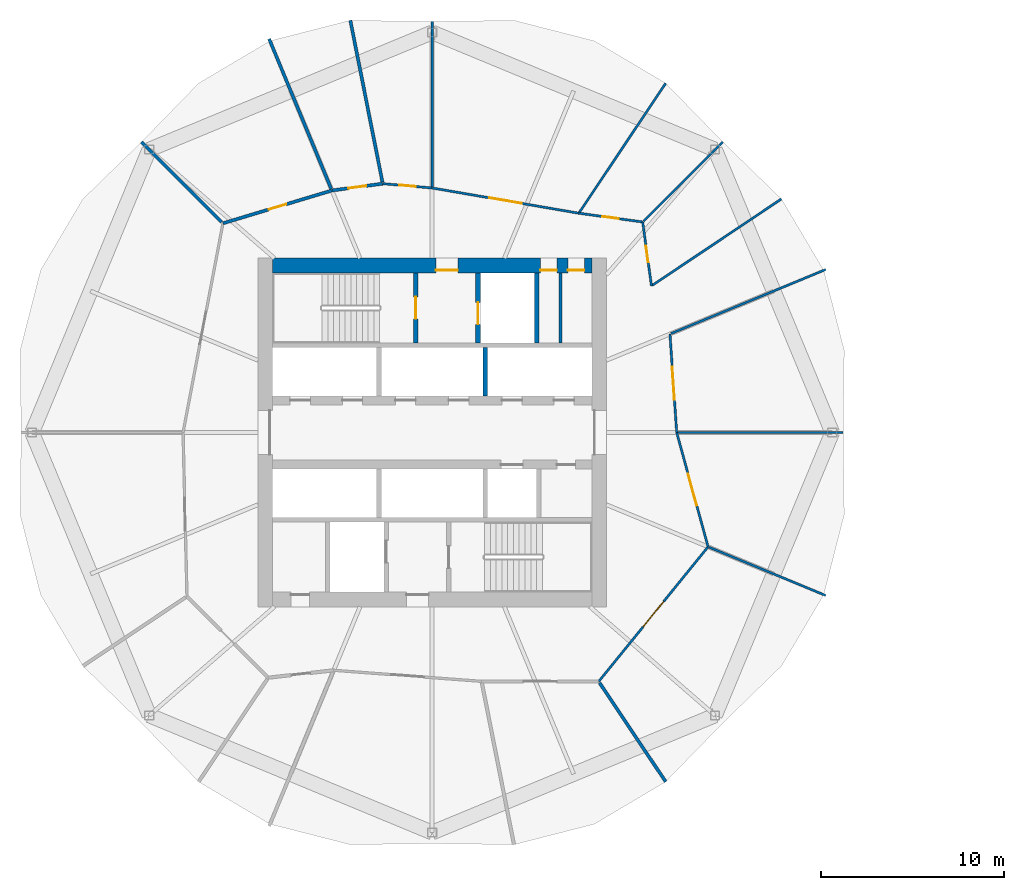
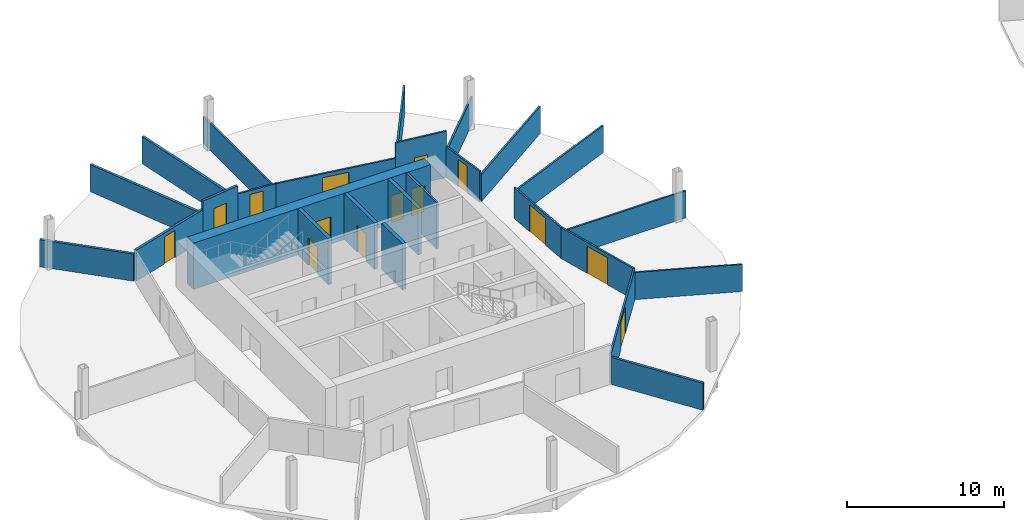
# One storey, part 5 of 9: 26 walls, 14 doors, 14 openings.
"""IFC4 building model written with IfcOpenShell, lengths in metres."""

from ifc_helpers import new_model, si_unit, direction, frame, frame_2d, origin, place, context, subcontext, project, spatial, rectangle, extrude, material, layer, layer_set, type_object, element, fill, save


model = new_model("IFC4")

# Units and contexts
model_context = context("Model", 3, precision=1e-05, world=origin(), true_north=direction((0.0, 1.0)))
body_context = subcontext(model_context, "Body", "Model", "MODEL_VIEW")
ifc_project = project(units=[si_unit("LENGTHUNIT", "METRE"), si_unit("AREAUNIT", "SQUARE_METRE"), si_unit("VOLUMEUNIT", "CUBIC_METRE"), si_unit("PLANEANGLEUNIT", "RADIAN"), si_unit("MASSUNIT", "GRAM", prefix="KILO")], contexts=[model_context])

# Site, building, storey
site_placement = place(None, origin())
site = spatial("IfcSite", under=ifc_project, at=site_placement, CompositionType="ELEMENT")
building_placement = place(site_placement, origin())
building = spatial("IfcBuilding", under=site, at=building_placement, Name="Ogive Gate Towers", CompositionType="ELEMENT")
storey_placement = place(building_placement, frame((0.0, 0.0, 40.199951171875)))
storey = spatial("IfcBuildingStorey", under=building, at=storey_placement, Name="L08", CompositionType="ELEMENT", Elevation=40.199951171875)

# Walls
ifc_material_1 = material(Name="Gypsum board acoustic partition")
ifc_layer_1 = layer(ifc_material_1, 0.175048828125)
ifc_layer_set_1 = layer_set([ifc_layer_1], Name="Acoustic partition 175")
wall_type_1 = type_object("IfcWallType", Name="Acoustic partition 175", PredefinedType="PARTITIONING", material=ifc_layer_set_1)
wall_1_placement = place(storey_placement, frame((-40.461669921875, 22.470947265625, 0.0), z_axis=(0.0, 0.0, 1.0), x_axis=(0.194737431918, -0.980855408615, 0.0)))
element("IfcWall", 1, at=wall_1_placement, inside=storey, type_object=wall_type_1, Name="Partition T1-L08-007", PredefinedType="PARTITIONING", context=body_context, shape_type="SweptSolid", body=[
    extrude(rectangle(XDim=8.991455078125, YDim=0.175048828125, at=frame_2d((4.49560546875, 0.0))), origin(), (0.0, 0.0, 1.0), 2.10009765625),
])
wall_2_placement = place(storey_placement, frame((-44.885986328125, 21.452880859375, 0.0), z_axis=(0.0, 0.0, 1.0), x_axis=(0.382685511133, -0.923878671455, 0.0)))
element("IfcWall", 2, at=wall_2_placement, inside=storey, type_object=wall_type_1, Name="Partition T1-L08-008", PredefinedType="PARTITIONING", context=body_context, shape_type="SweptSolid", body=[
    extrude(rectangle(XDim=8.851806640625, YDim=0.175048828125, at=frame_2d((4.42578125, 0.0))), origin(), (0.0, 0.0, 1.0), 2.10009765625),
])
wall_3_placement = place(storey_placement, frame((-51.845703125, 15.845703125, 0.0), z_axis=(0.0, 0.0, 1.0), x_axis=(0.707106781187, -0.707106781187, 0.0)))
element("IfcWall", 3, at=wall_3_placement, inside=storey, type_object=wall_type_1, Name="Partition T1-L08-009", PredefinedType="PARTITIONING", context=body_context, shape_type="SweptSolid", body=[
    extrude(rectangle(XDim=6.191650390625, YDim=0.175048828125, at=frame_2d((3.095703125, 0.0))), origin(), (0.0, 0.0, 1.0), 2.10009765625),
])
wall_4_placement = place(storey_placement, frame((-23.265625, -19.044189453125, 0.0), z_axis=(0.0, 0.0, 1.0), x_axis=(-0.55586264377, 0.831274155295, 0.0)))
element("IfcWall", 4, at=wall_4_placement, inside=storey, type_object=wall_type_1, Name="Partition T1-L08-015", PredefinedType="PARTITIONING", context=body_context, shape_type="SweptSolid", body=[
    extrude(rectangle(XDim=6.491455078125, YDim=0.175048828125, at=frame_2d((3.24560546875, 0.0))), origin(), (0.0, 0.0, 1.0), 2.10009765625),
])

# Wall, opening, door
wall_5_placement = place(storey_placement, frame((-38.693603515625, 13.56591796875, 0.0), z_axis=(0.0, 0.0, 1.0), x_axis=(-0.991120058081, -0.132970035981, 0.0)))
wall_5 = element("IfcWall", 5, at=wall_5_placement, inside=storey, type_object=wall_type_1, Name="Partition T1-L08-021", PredefinedType="PARTITIONING", context=body_context, shape_type="SweptSolid", body=[
    extrude(rectangle(XDim=2.79638671875, YDim=0.175048828125, at=frame_2d((1.398193359375, 0.0))), origin(), (0.0, 0.0, 1.0), 3.050048828125),
])
opening_1_placement = place(wall_5_placement, frame((0.89794921875, 0.0, 0.0)))
opening_1 = element("IfcOpeningElement", 6, at=opening_1_placement, cuts=wall_5, Name="Opening T1-L08-D05", PredefinedType="OPENING", context=body_context, shape_type="SweptSolid", body=[
    extrude(rectangle(XDim=1.0, YDim=2.10009765625, at=frame_2d((0.5, 1.050048828125))), frame((0.0, 0.09765625, 0.0), z_axis=(0.0, -1.0, 0.0), x_axis=(1.0, 0.0, 0.0)), (0.0, 0.0, 1.0), 0.195068359375),
])
ifc_material_2 = material(Name="Timber door", Category="wood")
door_type_1 = type_object("IfcDoorType", Name="Door 1000", OperationType="NOTDEFINED", PredefinedType="DOOR", material=ifc_material_2)
door_1_placement = place(opening_1_placement, origin())
door_1 = element("IfcDoor", 7, at=door_1_placement, inside=storey, type_object=door_type_1, Name="Door T1-L08-D05", OperationType="SINGLE_SWING_RIGHT", OverallHeight=2.10009765625, OverallWidth=1.0, PredefinedType="DOOR", context=body_context, shape_type="SweptSolid", body=[
    extrude(rectangle(XDim=1.0, YDim=2.10009765625, at=frame_2d((0.5, 1.050048828125))), frame((0.0, 0.02490234375, 0.0), z_axis=(0.0, -1.0, 0.0), x_axis=(1.0, 0.0, 0.0)), (0.0, 0.0, 1.0), 0.050048828125),
])
fill(opening_1, door_1)

wall_6_placement = place(storey_placement, frame((-41.465087890625, 13.194091796875, 0.0), z_axis=(0.0, 0.0, 1.0), x_axis=(-0.957554002329, -0.288253937741, 0.0)))
wall_6 = element("IfcWall", 8, at=wall_6_placement, inside=storey, type_object=wall_type_1, Name="Partition T1-L08-022", PredefinedType="PARTITIONING", context=body_context, shape_type="SweptSolid", body=[
    extrude(rectangle(XDim=6.2041015625, YDim=0.175048828125, at=frame_2d((3.10205078125, 0.0))), origin(), (0.0, 0.0, 1.0), 2.400146484375),
])
opening_2_placement = place(wall_6_placement, frame((2.60205078125, 0.0, 0.0)))
opening_2 = element("IfcOpeningElement", 9, at=opening_2_placement, cuts=wall_6, Name="Opening T1-L08-D06", PredefinedType="OPENING", context=body_context, shape_type="SweptSolid", body=[
    extrude(rectangle(XDim=1.0, YDim=2.10009765625, at=frame_2d((0.5, 1.050048828125))), frame((0.0, 0.09765625, 0.0), z_axis=(0.0, -1.0, 0.0), x_axis=(1.0, 0.0, 0.0)), (0.0, 0.0, 1.0), 0.195068359375),
])
door_2_placement = place(opening_2_placement, origin())
door_2 = element("IfcDoor", 10, at=door_2_placement, inside=storey, type_object=door_type_1, Name="Door T1-L08-D06", OperationType="SINGLE_SWING_RIGHT", OverallHeight=2.10009765625, OverallWidth=1.0, PredefinedType="DOOR", context=body_context, shape_type="SweptSolid", body=[
    extrude(rectangle(XDim=1.0, YDim=2.10009765625, at=frame_2d((0.5, 1.050048828125))), frame((0.0, 0.02490234375, 0.0), z_axis=(0.0, -1.0, 0.0), x_axis=(1.0, 0.0, 0.0)), (0.0, 0.0, 1.0), 0.050048828125),
])
fill(opening_2, door_2)

# Wall, openings, doors
ifc_material_3 = material(Name="Concrete C60/75", Category="concrete")
ifc_layer_2 = layer(ifc_material_3, 0.800048828125)
ifc_layer_set_2 = layer_set([ifc_layer_2], Name="Core wall 800 mm")
wall_type_2 = type_object("IfcWallType", Name="Core wall 800 mm", PredefinedType="SHEAR", material=ifc_layer_set_2)
wall_7_placement = place(storey_placement, frame((-44.699951171875, 9.10009765625, 0.0), z_axis=(0.0, 0.0, 1.0), x_axis=(1.0, 0.0, 0.0)))
wall_7 = element("IfcWall", 11, at=wall_7_placement, inside=storey, type_object=wall_type_2, Name="T1 L08 Core wall 800 mm", PredefinedType="SHEAR", context=body_context, shape_type="SweptSolid", body=[
    extrude(rectangle(XDim=17.39990234375, YDim=0.800048828125, at=frame_2d((8.699951171875, 0.0))), origin(), (0.0, 0.0, 1.0), 3.60009765625),
])
opening_3_placement = place(wall_7_placement, frame((8.89990234375, 0.0, 0.0)))
opening_3 = element("IfcOpeningElement", 12, at=opening_3_placement, cuts=wall_7, Name="Opening KD-T1-L08-15", PredefinedType="OPENING", context=body_context, shape_type="SweptSolid", body=[
    extrude(rectangle(XDim=1.199951171875, YDim=2.10009765625, at=frame_2d((0.60009765625, 1.050048828125))), frame((0.0, 0.41015625, 0.0), z_axis=(0.0, -1.0, 0.0), x_axis=(1.0, 0.0, 0.0)), (0.0, 0.0, 1.0), 0.820068359375),
])
opening_4_placement = place(wall_7_placement, frame((14.60009765625, 0.0, 0.0)))
opening_4 = element("IfcOpeningElement", 13, at=opening_4_placement, cuts=wall_7, Name="Opening KD-T1-L08-17", PredefinedType="OPENING", context=body_context, shape_type="SweptSolid", body=[
    extrude(rectangle(XDim=0.89990234375, YDim=2.10009765625, at=frame_2d((0.449951171875, 1.050048828125))), frame((0.0, 0.41015625, 0.0), z_axis=(0.0, -1.0, 0.0), x_axis=(1.0, 0.0, 0.0)), (0.0, 0.0, 1.0), 0.820068359375),
])
opening_5_placement = place(wall_7_placement, frame((16.10009765625, 0.0, 0.0)))
opening_5 = element("IfcOpeningElement", 14, at=opening_5_placement, cuts=wall_7, Name="Opening KD-T1-L08-18", PredefinedType="OPENING", context=body_context, shape_type="SweptSolid", body=[
    extrude(rectangle(XDim=0.89990234375, YDim=2.10009765625, at=frame_2d((0.449951171875, 1.050048828125))), frame((0.0, 0.41015625, 0.0), z_axis=(0.0, -1.0, 0.0), x_axis=(1.0, 0.0, 0.0)), (0.0, 0.0, 1.0), 0.820068359375),
])
door_type_2 = type_object("IfcDoorType", Name="Core WC door 900 x 2100", OperationType="NOTDEFINED", PredefinedType="DOOR", material=ifc_material_2)
door_3_placement = place(opening_4_placement, origin())
door_3 = element("IfcDoor", 15, at=door_3_placement, inside=storey, type_object=door_type_2, Name="T1 L08 Core door", OperationType="SINGLE_SWING_RIGHT", OverallHeight=2.10009765625, OverallWidth=0.89990234375, PredefinedType="DOOR", context=body_context, shape_type="SweptSolid", body=[
    extrude(rectangle(XDim=0.89990234375, YDim=2.10009765625, at=frame_2d((0.449951171875, 1.050048828125))), frame((0.0, -0.22509765625, 0.0), z_axis=(0.0, -1.0, 0.0), x_axis=(1.0, 0.0, 0.0)), (0.0, 0.0, 1.0), 0.050048828125),
])
fill(opening_4, door_3)
door_4_placement = place(opening_5_placement, origin())
door_4 = element("IfcDoor", 16, at=door_4_placement, inside=storey, type_object=door_type_2, Name="T1 L08 Core door", OperationType="SINGLE_SWING_LEFT", OverallHeight=2.10009765625, OverallWidth=0.89990234375, PredefinedType="DOOR", context=body_context, shape_type="SweptSolid", body=[
    extrude(rectangle(XDim=0.89990234375, YDim=2.10009765625, at=frame_2d((0.449951171875, 1.050048828125))), frame((0.0, -0.22509765625, 0.0), z_axis=(0.0, -1.0, 0.0), x_axis=(1.0, 0.0, 0.0)), (0.0, 0.0, 1.0), 0.050048828125),
])
fill(opening_5, door_4)
ifc_material_4 = material(Name="Steel fire door", Category="steel")
door_type_3 = type_object("IfcDoorType", Name="Core door FD60S 1200 x 2100", OperationType="NOTDEFINED", PredefinedType="DOOR", material=ifc_material_4)
door_5_placement = place(opening_3_placement, origin())
door_5 = element("IfcDoor", 17, at=door_5_placement, inside=storey, type_object=door_type_3, Name="T1 L08 Fire-fighting lobby door", OperationType="SINGLE_SWING_RIGHT", OverallHeight=2.10009765625, OverallWidth=1.199951171875, PredefinedType="DOOR", context=body_context, shape_type="SweptSolid", body=[
    extrude(rectangle(XDim=1.199951171875, YDim=2.10009765625, at=frame_2d((0.60009765625, 1.050048828125))), frame((0.0, -0.22509765625, 0.0), z_axis=(0.0, -1.0, 0.0), x_axis=(1.0, 0.0, 0.0)), (0.0, 0.0, 1.0), 0.050048828125),
])
fill(opening_3, door_5)

# Walls
ifc_material_5 = material(Name="Gypsum board partition")
ifc_layer_3 = layer(ifc_material_5, 0.125)
ifc_layer_set_3 = layer_set([ifc_layer_3], Name="Partition 125")
wall_type_3 = type_object("IfcWallType", Name="Partition 125", PredefinedType="PARTITIONING", material=ifc_layer_set_3)
wall_8_placement = place(storey_placement, frame((-13.591064453125, 0.0, 0.0), z_axis=(0.0, 0.0, 1.0), x_axis=(-1.0, 0.0, 0.0)))
element("IfcWall", 18, at=wall_8_placement, inside=storey, type_object=wall_type_3, Name="Partition T1-L08-001", PredefinedType="PARTITIONING", context=body_context, shape_type="SweptSolid", body=[
    extrude(rectangle(XDim=9.016357421875, YDim=0.125, at=frame_2d((4.50830078125, 0.0))), origin(), (0.0, 0.0, 1.0), 2.10009765625),
])
wall_9_placement = place(storey_placement, frame((-14.547119140625, 8.885986328125, 0.0), z_axis=(0.0, 0.0, 1.0), x_axis=(-0.923880554075, -0.382680966084, 0.0)))
element("IfcWall", 19, at=wall_9_placement, inside=storey, type_object=wall_type_3, Name="Partition T1-L08-002", PredefinedType="PARTITIONING", context=body_context, shape_type="SweptSolid", body=[
    extrude(rectangle(XDim=9.126953125, YDim=0.125, at=frame_2d((4.5634765625, 0.0))), origin(), (0.0, 0.0, 1.0), 2.10009765625),
])
wall_10_placement = place(storey_placement, frame((-16.955810546875, 12.734375, 0.0), z_axis=(0.0, 0.0, 1.0), x_axis=(-0.83128646011, -0.555844241886, 0.0)))
element("IfcWall", 20, at=wall_10_placement, inside=storey, type_object=wall_type_3, Name="Partition T1-L08-003", PredefinedType="PARTITIONING", context=body_context, shape_type="SweptSolid", body=[
    extrude(rectangle(XDim=8.466552734375, YDim=0.125, at=frame_2d((4.2333984375, 0.0))), origin(), (0.0, 0.0, 1.0), 2.10009765625),
])
wall_11_placement = place(storey_placement, frame((-20.154296875, 15.845703125, 0.0), z_axis=(0.0, 0.0, 1.0), x_axis=(-0.707106781187, -0.707106781187, 0.0)))
element("IfcWall", 21, at=wall_11_placement, inside=storey, type_object=wall_type_3, Name="Partition T1-L08-004", PredefinedType="PARTITIONING", context=body_context, shape_type="SweptSolid", body=[
    extrude(rectangle(XDim=6.11669921875, YDim=0.125, at=frame_2d((3.058349609375, 0.0))), origin(), (0.0, 0.0, 1.0), 2.10009765625),
])
wall_12_placement = place(storey_placement, frame((-23.265625, 19.044189453125, 0.0), z_axis=(0.0, 0.0, 1.0), x_axis=(-0.555844241886, -0.83128646011, 0.0)))
element("IfcWall", 22, at=wall_12_placement, inside=storey, type_object=wall_type_3, Name="Partition T1-L08-005", PredefinedType="PARTITIONING", context=body_context, shape_type="SweptSolid", body=[
    extrude(rectangle(XDim=8.466552734375, YDim=0.125, at=frame_2d((4.2333984375, 0.0))), origin(), (0.0, 0.0, 1.0), 2.10009765625),
])
wall_13_placement = place(storey_placement, frame((-36.0, 22.408935546875, 0.0), z_axis=(0.0, 0.0, 1.0), x_axis=(0.0, -1.0, 0.0)))
element("IfcWall", 23, at=wall_13_placement, inside=storey, type_object=wall_type_3, Name="Partition T1-L08-006", PredefinedType="PARTITIONING", context=body_context, shape_type="SweptSolid", body=[
    extrude(rectangle(XDim=9.016357421875, YDim=0.125, at=frame_2d((4.50830078125, 0.0))), origin(), (0.0, 0.0, 1.0), 2.10009765625),
])
wall_14_placement = place(storey_placement, frame((-14.547119140625, -8.885986328125, 0.0), z_axis=(0.0, 0.0, 1.0), x_axis=(-0.923880530816, 0.382681022237, 0.0)))
element("IfcWall", 24, at=wall_14_placement, inside=storey, type_object=wall_type_3, Name="Partition T1-L08-016", PredefinedType="PARTITIONING", context=body_context, shape_type="SweptSolid", body=[
    extrude(rectangle(XDim=6.876708984375, YDim=0.125, at=frame_2d((3.4384765625, 0.0))), origin(), (0.0, 0.0, 1.0), 2.10009765625),
])

# Wall, opening, door
wall_15_placement = place(storey_placement, frame((-24.045654296875, 7.993408203125, 0.0), z_axis=(0.0, 0.0, 1.0), x_axis=(-0.13597467472, 0.990712313356, 0.0)))
wall_15 = element("IfcWall", 25, at=wall_15_placement, inside=storey, type_object=wall_type_3, Name="Partition T1-L08-017", PredefinedType="PARTITIONING", context=body_context, shape_type="SweptSolid", body=[
    extrude(rectangle(XDim=3.515625, YDim=0.125, at=frame_2d((1.7578125, 0.0))), origin(), (0.0, 0.0, 1.0), 2.400146484375),
])
opening_6_placement = place(wall_15_placement, frame((1.30810546875, 0.0, 0.0)))
opening_6 = element("IfcOpeningElement", 26, at=opening_6_placement, cuts=wall_15, Name="Opening T1-L08-D01", PredefinedType="OPENING", context=body_context, shape_type="SweptSolid", body=[
    extrude(rectangle(XDim=0.89990234375, YDim=2.10009765625, at=frame_2d((0.449951171875, 1.050048828125))), frame((0.0, 0.072509765625, 0.0), z_axis=(0.0, -1.0, 0.0), x_axis=(1.0, 0.0, 0.0)), (0.0, 0.0, 1.0), 0.14501953125),
])
door_type_4 = type_object("IfcDoorType", Name="Door 900", OperationType="NOTDEFINED", PredefinedType="DOOR", material=ifc_material_2)
door_6_placement = place(opening_6_placement, origin())
door_6 = element("IfcDoor", 27, at=door_6_placement, inside=storey, type_object=door_type_4, Name="Door T1-L08-D01", OperationType="SINGLE_SWING_LEFT", OverallHeight=2.10009765625, OverallWidth=0.89990234375, PredefinedType="DOOR", context=body_context, shape_type="SweptSolid", body=[
    extrude(rectangle(XDim=0.89990234375, YDim=2.10009765625, at=frame_2d((0.449951171875, 1.050048828125))), frame((0.0, 0.02490234375, 0.0), z_axis=(0.0, -1.0, 0.0), x_axis=(1.0, 0.0, 0.0)), (0.0, 0.0, 1.0), 0.050048828125),
])
fill(opening_6, door_6)

wall_16_placement = place(storey_placement, frame((-24.523681640625, 11.476318359375, 0.0), z_axis=(0.0, 0.0, 1.0), x_axis=(-0.990712313356, 0.13597467472, 0.0)))
wall_16 = element("IfcWall", 28, at=wall_16_placement, inside=storey, type_object=wall_type_3, Name="Partition T1-L08-018", PredefinedType="PARTITIONING", context=body_context, shape_type="SweptSolid", body=[
    extrude(rectangle(XDim=3.515625, YDim=0.125, at=frame_2d((1.7578125, 0.0))), origin(), (0.0, 0.0, 1.0), 3.60009765625),
])
opening_7_placement = place(wall_16_placement, frame((1.30810546875, 0.0, 0.0)))
opening_7 = element("IfcOpeningElement", 29, at=opening_7_placement, cuts=wall_16, Name="Opening T1-L08-D02", PredefinedType="OPENING", context=body_context, shape_type="SweptSolid", body=[
    extrude(rectangle(XDim=0.89990234375, YDim=2.10009765625, at=frame_2d((0.449951171875, 1.050048828125))), frame((0.0, 0.072509765625, 0.0), z_axis=(0.0, -1.0, 0.0), x_axis=(1.0, 0.0, 0.0)), (0.0, 0.0, 1.0), 0.14501953125),
])
door_7_placement = place(opening_7_placement, origin())
door_7 = element("IfcDoor", 30, at=door_7_placement, inside=storey, type_object=door_type_4, Name="Door T1-L08-D02", OperationType="SINGLE_SWING_LEFT", OverallHeight=2.10009765625, OverallWidth=0.89990234375, PredefinedType="DOOR", context=body_context, shape_type="SweptSolid", body=[
    extrude(rectangle(XDim=0.89990234375, YDim=2.10009765625, at=frame_2d((0.449951171875, 1.050048828125))), frame((0.0, 0.02490234375, 0.0), z_axis=(0.0, -1.0, 0.0), x_axis=(1.0, 0.0, 0.0)), (0.0, 0.0, 1.0), 0.050048828125),
])
fill(opening_7, door_7)

wall_17_placement = place(storey_placement, frame((-28.006591796875, 11.954345703125, 0.0), z_axis=(0.0, 0.0, 1.0), x_axis=(-0.9855104711, 0.16961459652, 0.0)))
wall_17 = element("IfcWall", 31, at=wall_17_placement, inside=storey, type_object=wall_type_3, Name="Partition T1-L08-019", PredefinedType="PARTITIONING", context=body_context, shape_type="SweptSolid", body=[
    extrude(rectangle(XDim=8.11083984375, YDim=0.125, at=frame_2d((4.055419921875, 0.0))), origin(), (0.0, 0.0, 1.0), 2.400146484375),
])
opening_8_placement = place(wall_17_placement, frame((3.156005859375, 0.0, 0.0)))
opening_8 = element("IfcOpeningElement", 32, at=opening_8_placement, cuts=wall_17, Name="Opening T1-L08-D03", PredefinedType="OPENING", context=body_context, shape_type="SweptSolid", body=[
    extrude(rectangle(XDim=1.800048828125, YDim=2.10009765625, at=frame_2d((0.89990234375, 1.050048828125))), frame((0.0, 0.072509765625, 0.0), z_axis=(0.0, -1.0, 0.0), x_axis=(1.0, 0.0, 0.0)), (0.0, 0.0, 1.0), 0.14501953125),
])
door_type_5 = type_object("IfcDoorType", Name="Door pair 1800", OperationType="NOTDEFINED", PredefinedType="DOOR", material=ifc_material_2)
door_8_placement = place(opening_8_placement, origin())
door_8 = element("IfcDoor", 33, at=door_8_placement, inside=storey, type_object=door_type_5, Name="Door T1-L08-D03", OperationType="DOUBLE_DOOR_DOUBLE_SWING", OverallHeight=2.10009765625, OverallWidth=1.800048828125, PredefinedType="DOOR", context=body_context, shape_type="SweptSolid", body=[
    extrude(rectangle(XDim=1.800048828125, YDim=2.10009765625, at=frame_2d((0.89990234375, 1.050048828125))), frame((0.0, 0.02490234375, 0.0), z_axis=(0.0, -1.0, 0.0), x_axis=(1.0, 0.0, 0.0)), (0.0, 0.0, 1.0), 0.050048828125),
])
fill(opening_8, door_8)

wall_18_placement = place(storey_placement, frame((-36.0, 13.330078125, 0.0), z_axis=(0.0, 0.0, 1.0), x_axis=(-0.996188913678, 0.087221833646, 0.0)))
wall_18 = element("IfcWall", 34, at=wall_18_placement, inside=storey, type_object=wall_type_3, Name="Partition T1-L08-020", PredefinedType="PARTITIONING", context=body_context, shape_type="SweptSolid", body=[
    extrude(rectangle(XDim=2.703857421875, YDim=0.125, at=frame_2d((1.35205078125, 0.0))), origin(), (0.0, 0.0, 1.0), 2.400146484375),
])
opening_9_placement = place(wall_18_placement, frame((0.902099609375, 0.0, 0.0)))
opening_9 = element("IfcOpeningElement", 35, at=opening_9_placement, cuts=wall_18, Name="Opening T1-L08-D04", PredefinedType="OPENING", context=body_context, shape_type="SweptSolid", body=[
    extrude(rectangle(XDim=0.89990234375, YDim=2.10009765625, at=frame_2d((0.449951171875, 1.050048828125))), frame((0.0, 0.072509765625, 0.0), z_axis=(0.0, -1.0, 0.0), x_axis=(1.0, 0.0, 0.0)), (0.0, 0.0, 1.0), 0.14501953125),
])
door_9_placement = place(opening_9_placement, origin())
door_9 = element("IfcDoor", 36, at=door_9_placement, inside=storey, type_object=door_type_4, Name="Door T1-L08-D04", OperationType="SINGLE_SWING_LEFT", OverallHeight=2.10009765625, OverallWidth=0.89990234375, PredefinedType="DOOR", context=body_context, shape_type="SweptSolid", body=[
    extrude(rectangle(XDim=0.89990234375, YDim=2.10009765625, at=frame_2d((0.449951171875, 1.050048828125))), frame((0.0, 0.02490234375, 0.0), z_axis=(0.0, -1.0, 0.0), x_axis=(1.0, 0.0, 0.0)), (0.0, 0.0, 1.0), 0.050048828125),
])
fill(opening_9, door_9)

wall_19_placement = place(storey_placement, frame((-26.922607421875, -13.5751953125, 0.0), z_axis=(0.0, 0.0, 1.0), x_axis=(0.63038665827, 0.776281302799, 0.0)))
wall_19 = element("IfcWall", 37, at=wall_19_placement, inside=storey, type_object=wall_type_3, Name="Partition T1-L08-029", PredefinedType="PARTITIONING", context=body_context, shape_type="SweptSolid", body=[
    extrude(rectangle(XDim=9.46142578125, YDim=0.125, at=frame_2d((4.730712890625, 0.0))), origin(), (0.0, 0.0, 1.0), 2.400146484375),
])
opening_10_placement = place(wall_19_placement, frame((3.8310546875, 0.0, 0.0)))
opening_10 = element("IfcOpeningElement", 38, at=opening_10_placement, cuts=wall_19, Name="Opening T1-L08-D13", PredefinedType="OPENING", context=body_context, shape_type="SweptSolid", body=[
    extrude(rectangle(XDim=1.800048828125, YDim=2.10009765625, at=frame_2d((0.89990234375, 1.050048828125))), frame((0.0, 0.072509765625, 0.0), z_axis=(0.0, -1.0, 0.0), x_axis=(1.0, 0.0, 0.0)), (0.0, 0.0, 1.0), 0.14501953125),
])
door_10_placement = place(opening_10_placement, origin())
door_10 = element("IfcDoor", 39, at=door_10_placement, inside=storey, type_object=door_type_5, Name="Door T1-L08-D13", OperationType="DOUBLE_DOOR_DOUBLE_SWING", OverallHeight=2.10009765625, OverallWidth=1.800048828125, PredefinedType="DOOR", context=body_context, shape_type="SweptSolid", body=[
    extrude(rectangle(XDim=1.800048828125, YDim=2.10009765625, at=frame_2d((0.89990234375, 1.050048828125))), frame((0.0, 0.02490234375, 0.0), z_axis=(0.0, -1.0, 0.0), x_axis=(1.0, 0.0, 0.0)), (0.0, 0.0, 1.0), 0.050048828125),
])
fill(opening_10, door_10)

wall_20_placement = place(storey_placement, frame((-20.958251953125, -6.23046875, 0.0), z_axis=(0.0, 0.0, 1.0), x_axis=(-0.264910575557, 0.96427298363, 0.0)))
wall_20 = element("IfcWall", 40, at=wall_20_placement, inside=storey, type_object=wall_type_3, Name="Partition T1-L08-030", PredefinedType="PARTITIONING", context=body_context, shape_type="SweptSolid", body=[
    extrude(rectangle(XDim=6.46142578125, YDim=0.125, at=frame_2d((3.230712890625, 0.0))), origin(), (0.0, 0.0, 1.0), 2.400146484375),
])
opening_11_placement = place(wall_20_placement, frame((2.3310546875, 0.0, 0.0)))
opening_11 = element("IfcOpeningElement", 41, at=opening_11_placement, cuts=wall_20, Name="Opening T1-L08-D14", PredefinedType="OPENING", context=body_context, shape_type="SweptSolid", body=[
    extrude(rectangle(XDim=1.800048828125, YDim=2.10009765625, at=frame_2d((0.89990234375, 1.050048828125))), frame((0.0, 0.072509765625, 0.0), z_axis=(0.0, -1.0, 0.0), x_axis=(1.0, 0.0, 0.0)), (0.0, 0.0, 1.0), 0.14501953125),
])
door_11_placement = place(opening_11_placement, origin())
door_11 = element("IfcDoor", 42, at=door_11_placement, inside=storey, type_object=door_type_5, Name="Door T1-L08-D14", OperationType="DOUBLE_DOOR_DOUBLE_SWING", OverallHeight=2.10009765625, OverallWidth=1.800048828125, PredefinedType="DOOR", context=body_context, shape_type="SweptSolid", body=[
    extrude(rectangle(XDim=1.800048828125, YDim=2.10009765625, at=frame_2d((0.89990234375, 1.050048828125))), frame((0.0, 0.02490234375, 0.0), z_axis=(0.0, -1.0, 0.0), x_axis=(1.0, 0.0, 0.0)), (0.0, 0.0, 1.0), 0.050048828125),
])
fill(opening_11, door_11)

wall_21_placement = place(storey_placement, frame((-22.669921875, 0.0, 0.0), z_axis=(0.0, 0.0, 1.0), x_axis=(-0.068226049747, 0.997669888358, 0.0)))
wall_21 = element("IfcWall", 43, at=wall_21_placement, inside=storey, type_object=wall_type_3, Name="Partition T1-L08-031", PredefinedType="PARTITIONING", context=body_context, shape_type="SweptSolid", body=[
    extrude(rectangle(XDim=5.3818359375, YDim=0.125, at=frame_2d((2.69091796875, 0.0))), origin(), (0.0, 0.0, 1.0), 2.400146484375),
])
opening_12_placement = place(wall_21_placement, frame((1.791015625, 0.0, 0.0)))
opening_12 = element("IfcOpeningElement", 44, at=opening_12_placement, cuts=wall_21, Name="Opening T1-L08-D15", PredefinedType="OPENING", context=body_context, shape_type="SweptSolid", body=[
    extrude(rectangle(XDim=1.800048828125, YDim=2.10009765625, at=frame_2d((0.89990234375, 1.050048828125))), frame((0.0, 0.072509765625, 0.0), z_axis=(0.0, -1.0, 0.0), x_axis=(1.0, 0.0, 0.0)), (0.0, 0.0, 1.0), 0.14501953125),
])
door_12_placement = place(opening_12_placement, origin())
door_12 = element("IfcDoor", 45, at=door_12_placement, inside=storey, type_object=door_type_5, Name="Door T1-L08-D15", OperationType="DOUBLE_DOOR_DOUBLE_SWING", OverallHeight=2.10009765625, OverallWidth=1.800048828125, PredefinedType="DOOR", context=body_context, shape_type="SweptSolid", body=[
    extrude(rectangle(XDim=1.800048828125, YDim=2.10009765625, at=frame_2d((0.89990234375, 1.050048828125))), frame((0.0, 0.02490234375, 0.0), z_axis=(0.0, -1.0, 0.0), x_axis=(1.0, 0.0, 0.0)), (0.0, 0.0, 1.0), 0.050048828125),
])
fill(opening_12, door_12)

# Wall
ifc_layer_4 = layer(ifc_material_5, 0.14990234375)
ifc_layer_set_4 = layer_set([ifc_layer_4], Name="Room partition 150 mm")
wall_type_4 = type_object("IfcWallType", Name="Room partition 150 mm", PredefinedType="PARTITIONING", material=ifc_layer_set_4)
wall_22_placement = place(storey_placement, frame((-29.0, 4.875, 0.0), z_axis=(0.0, 0.0, 1.0), x_axis=(0.0, 1.0, 0.0)))
element("IfcWall", 46, at=wall_22_placement, inside=storey, type_object=wall_type_4, Name="T1 L08 Room partition 150 mm", PredefinedType="PARTITIONING", context=body_context, shape_type="SweptSolid", body=[
    extrude(rectangle(XDim=3.824951171875, YDim=0.14990234375, at=frame_2d((1.91259765625, 0.0))), origin(), (0.0, 0.0, 1.0), 3.60009765625),
])

# Wall, opening, door
ifc_layer_5 = layer(ifc_material_3, 0.25)
ifc_layer_set_5 = layer_set([ifc_layer_5], Name="Shaft wall 250 mm")
wall_type_5 = type_object("IfcWallType", Name="Shaft wall 250 mm", PredefinedType="SHEAR", material=ifc_layer_set_5)
wall_23_placement = place(storey_placement, frame((-36.89990234375, 4.875, 0.0), z_axis=(0.0, 0.0, 1.0), x_axis=(0.0, 1.0, 0.0)))
wall_23 = element("IfcWall", 47, at=wall_23_placement, inside=storey, type_object=wall_type_5, Name="T1 L08 Shaft wall 250 mm", PredefinedType="SHEAR", context=body_context, shape_type="SweptSolid", body=[
    extrude(rectangle(XDim=3.824951171875, YDim=0.25, at=frame_2d((1.91259765625, 0.0))), origin(), (0.0, 0.0, 1.0), 3.60009765625),
])
opening_13_placement = place(wall_23_placement, frame((1.324951171875, 0.0, 0.0)))
opening_13 = element("IfcOpeningElement", 48, at=opening_13_placement, cuts=wall_23, Name="Opening KD-T1-L08-13", PredefinedType="OPENING", context=body_context, shape_type="SweptSolid", body=[
    extrude(rectangle(XDim=1.199951171875, YDim=2.10009765625, at=frame_2d((0.60009765625, 1.050048828125))), frame((0.0, 0.135009765625, 0.0), z_axis=(0.0, -1.0, 0.0), x_axis=(1.0, 0.0, 0.0)), (0.0, 0.0, 1.0), 0.27001953125),
])
door_13_placement = place(opening_13_placement, origin())
door_13 = element("IfcDoor", 49, at=door_13_placement, inside=storey, type_object=door_type_3, Name="T1 L08 Stair door", OperationType="SINGLE_SWING_RIGHT", OverallHeight=2.10009765625, OverallWidth=1.199951171875, PredefinedType="DOOR", context=body_context, shape_type="SweptSolid", body=[
    extrude(rectangle(XDim=1.199951171875, YDim=2.10009765625, at=frame_2d((0.60009765625, 1.050048828125))), frame((0.0, 0.02490234375, 0.0), z_axis=(0.0, -1.0, 0.0), x_axis=(1.0, 0.0, 0.0)), (0.0, 0.0, 1.0), 0.050048828125),
])
fill(opening_13, door_13)

wall_24_placement = place(storey_placement, frame((-33.5, 4.875, 0.0), z_axis=(0.0, 0.0, 1.0), x_axis=(0.0, 1.0, 0.0)))
wall_24 = element("IfcWall", 50, at=wall_24_placement, inside=storey, type_object=wall_type_5, Name="T1 L08 Shaft wall 250 mm", PredefinedType="SHEAR", context=body_context, shape_type="SweptSolid", body=[
    extrude(rectangle(XDim=3.824951171875, YDim=0.25, at=frame_2d((1.91259765625, 0.0))), origin(), (0.0, 0.0, 1.0), 3.60009765625),
])
opening_14_placement = place(wall_24_placement, frame((1.02490234375, 0.0, 0.0)))
opening_14 = element("IfcOpeningElement", 51, at=opening_14_placement, cuts=wall_24, Name="Opening LD-T1-L08-10", PredefinedType="OPENING", context=body_context, shape_type="SweptSolid", body=[
    extrude(rectangle(XDim=1.199951171875, YDim=2.10009765625, at=frame_2d((0.60009765625, 1.050048828125))), frame((0.0, 0.135009765625, 0.0), z_axis=(0.0, -1.0, 0.0), x_axis=(1.0, 0.0, 0.0)), (0.0, 0.0, 1.0), 0.27001953125),
])
ifc_material_6 = material(Name="Stainless steel landing door", Category="steel")
door_type_6 = type_object("IfcDoorType", Name="Landing door 1200 x 2100", OperationType="SLIDING_TO_LEFT", PredefinedType="DOOR", material=ifc_material_6)
door_14_placement = place(opening_14_placement, origin())
door_14 = element("IfcDoor", 52, at=door_14_placement, inside=storey, type_object=door_type_6, Name="T1 L08 Lift landing door FF1", OperationType="SLIDING_TO_LEFT", OverallHeight=2.10009765625, OverallWidth=1.199951171875, PredefinedType="DOOR", context=body_context, shape_type="SweptSolid", body=[
    extrude(rectangle(XDim=1.199951171875, YDim=2.10009765625, at=frame_2d((0.60009765625, 1.050048828125))), frame((0.0, 0.02490234375, 0.0), z_axis=(0.0, -1.0, 0.0), x_axis=(1.0, 0.0, 0.0)), (0.0, 0.0, 1.0), 0.050048828125),
])
fill(opening_14, door_14)

# Walls
wall_25_placement = place(storey_placement, frame((-33.10009765625, 2.0, 0.0), z_axis=(0.0, 0.0, 1.0), x_axis=(0.0, 1.0, 0.0)))
element("IfcWall", 53, at=wall_25_placement, inside=storey, type_object=wall_type_5, Name="T1 L08 Shaft wall 250 mm", PredefinedType="SHEAR", context=body_context, shape_type="SweptSolid", body=[
    extrude(rectangle(XDim=2.625, YDim=0.25, at=frame_2d((1.3125, 0.0))), origin(), (0.0, 0.0, 1.0), 3.60009765625),
])
wall_26_placement = place(storey_placement, frame((-30.300048828125, 4.875, 0.0), z_axis=(0.0, 0.0, 1.0), x_axis=(0.0, 1.0, 0.0)))
element("IfcWall", 54, at=wall_26_placement, inside=storey, type_object=wall_type_5, Name="T1 L08 Shaft wall 250 mm", PredefinedType="SHEAR", context=body_context, shape_type="SweptSolid", body=[
    extrude(rectangle(XDim=3.824951171875, YDim=0.25, at=frame_2d((1.91259765625, 0.0))), origin(), (0.0, 0.0, 1.0), 3.60009765625),
])

save(model, "model.ifc")
